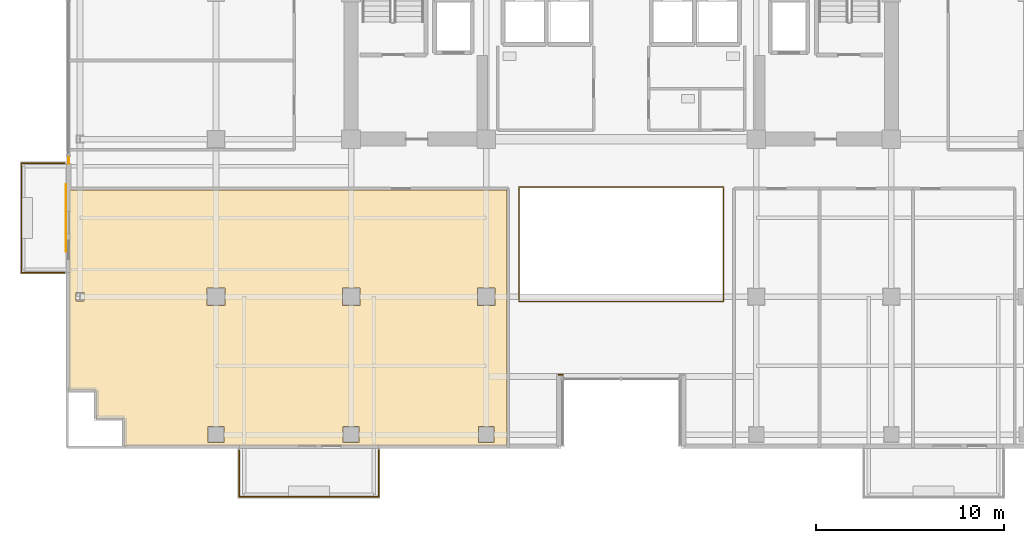
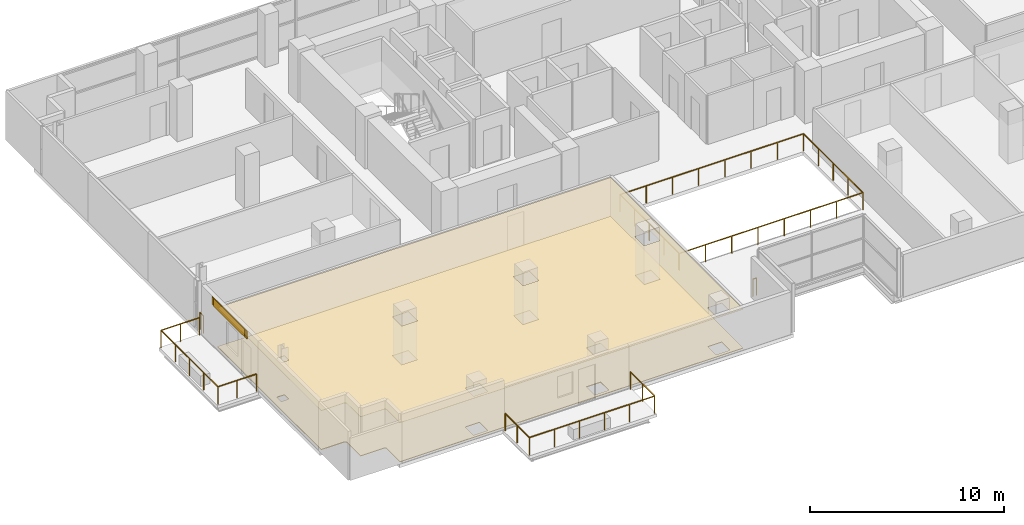
# One storey, part 24 of 28: 5 railings, 3 coverings, 1 shading device.
"""IFC4 building model written with IfcOpenShell, lengths in metres."""

from ifc_helpers import new_model, si_unit, direction, frame, origin, origin_2d, place, context, subcontext, project, spatial, polyline, rectangle, outline, extrude, source, transform, mapped, material, layer, layer_set, type_object, element, save


model = new_model("IFC4")

# Units and contexts
model_context = context("Model", 3, precision=1e-05, world=origin(), true_north=direction((0.0, 1.0)))
body_context = subcontext(model_context, "Body", "Model", "MODEL_VIEW")
ifc_project = project(units=[si_unit("LENGTHUNIT", "METRE"), si_unit("AREAUNIT", "SQUARE_METRE"), si_unit("VOLUMEUNIT", "CUBIC_METRE"), si_unit("PLANEANGLEUNIT", "RADIAN"), si_unit("MASSUNIT", "GRAM", prefix="KILO")], contexts=[model_context])

# Site, building, storey
site_placement = place(None, origin())
site = spatial("IfcSite", under=ifc_project, at=site_placement, CompositionType="ELEMENT")
building_placement = place(site_placement, origin())
building = spatial("IfcBuilding", under=site, at=building_placement, Name="Zarnakvel Exchange Tower", CompositionType="ELEMENT")
storey_placement = place(building_placement, frame((0.0, 0.0, 103.300048828125)))
storey = spatial("IfcBuildingStorey", under=building, at=storey_placement, Name="L28", CompositionType="ELEMENT", Elevation=103.300048828125)

# Coverings
ifc_material_1 = material(Name="Perforated Bronze Acoustic Metal Ceiling", Category="aluminium")
ifc_layer_1 = layer(ifc_material_1, 0.02001953125)
ifc_layer_set_1 = layer_set([ifc_layer_1], Name="Perforated Bronze Acoustic Metal Ceiling")
covering_type_1 = type_object("IfcCoveringType", Name="CLG-01", PredefinedType="CEILING", material=ifc_layer_set_1)
covering_1_placement = place(storey_placement, frame((0.0, 0.0, 2.454833984375)))
element("IfcCovering", 1, at=covering_1_placement, inside=storey, type_object=covering_type_1, Name="L28 Suspended Acoustic Ceiling (Derivatives Trading Hall)", PredefinedType="CEILING", context=body_context, shape_type="SweptSolid", body=[
    extrude(outline(polyline([(-6.10009765625, -3.909912109375), (-6.10009765625, -17.550048828125), (-26.47998046875, -17.550048828125), (-26.47998046875, -16.199951171875), (-26.48046875, -16.188232421875), (-26.482421875, -16.176513671875), (-26.485107421875, -16.165283203125), (-26.489013671875, -16.154052734375), (-26.494140625, -16.143310546875), (-26.500244140625, -16.13330078125), (-26.50732421875, -16.123779296875), (-26.51513671875, -16.115234375), (-26.52392578125, -16.107177734375), (-26.533447265625, -16.100341796875), (-26.54345703125, -16.09423828125), (-26.55419921875, -16.089111328125), (-26.565185546875, -16.085205078125), (-26.57666015625, -16.082275390625), (-26.588134765625, -16.08056640625), (-26.60009765625, -16.080078125), (-27.97998046875, -16.080078125), (-27.97998046875, -14.699951171875), (-27.98046875, -14.688232421875), (-27.982421875, -14.676513671875), (-27.985107421875, -14.665283203125), (-27.989013671875, -14.654052734375), (-27.994140625, -14.643310546875), (-28.000244140625, -14.63330078125), (-28.00732421875, -14.623779296875), (-28.01513671875, -14.615234375), (-28.02392578125, -14.607177734375), (-28.033447265625, -14.600341796875), (-28.04345703125, -14.59423828125), (-28.05419921875, -14.589111328125), (-28.065185546875, -14.585205078125), (-28.07666015625, -14.582275390625), (-28.088134765625, -14.58056640625), (-28.10009765625, -14.580078125), (-29.449951171875, -14.580078125), (-29.449951171875, -3.909912109375), (-6.10009765625, -3.909912109375)]), holes=[polyline([(-7.669921875, -10.070068359375), (-6.72998046875, -10.070068359375), (-6.72998046875, -9.1298828125), (-7.669921875, -9.1298828125), (-7.669921875, -10.070068359375)]), polyline([(-6.780029296875, -17.3701171875), (-6.780029296875, -16.530029296875), (-7.6201171875, -16.530029296875), (-7.6201171875, -17.3701171875), (-6.780029296875, -17.3701171875)]), polyline([(-13.929931640625, -10.070068359375), (-13.929931640625, -9.1298828125), (-14.8701171875, -9.1298828125), (-14.8701171875, -10.070068359375), (-13.929931640625, -10.070068359375)]), polyline([(-13.97998046875, -17.3701171875), (-13.97998046875, -16.530029296875), (-14.820068359375, -16.530029296875), (-14.820068359375, -17.3701171875), (-13.97998046875, -17.3701171875)]), polyline([(-21.1298828125, -10.070068359375), (-21.1298828125, -9.1298828125), (-22.070068359375, -9.1298828125), (-22.070068359375, -10.070068359375), (-21.1298828125, -10.070068359375)]), polyline([(-21.179931640625, -17.3701171875), (-21.179931640625, -16.530029296875), (-22.02001953125, -16.530029296875), (-22.02001953125, -17.3701171875), (-21.179931640625, -17.3701171875)]), polyline([(-29.072021484375, -9.823486328125), (-28.6279296875, -9.823486328125), (-28.6279296875, -9.37646484375), (-29.072021484375, -9.37646484375), (-29.072021484375, -9.823486328125)])]), origin(), (0.0, 0.0, 1.0), 0.02001953125),
])
ifc_material_2 = material(Name="Heavy-Duty Raised Access Floor Panel", Category="steel")
ifc_layer_2 = layer(ifc_material_2, 0.034912109375)
ifc_layer_set_2 = layer_set([ifc_layer_2], Name="Heavy-Duty Raised Access Floor Panel")
covering_type_2 = type_object("IfcCoveringType", Name="FLR-02", PredefinedType="FLOORING", material=ifc_layer_set_2)
covering_2_placement = place(storey_placement, origin())
element("IfcCovering", 2, at=covering_2_placement, inside=storey, type_object=covering_type_2, Name="L28 Floor Finish (Derivatives Trading Hall)", PredefinedType="FLOORING", context=body_context, shape_type="SweptSolid", body=[
    extrude(outline(polyline([(-6.10009765625, -3.909912109375), (-6.10009765625, -17.550048828125), (-26.47998046875, -17.550048828125), (-26.47998046875, -16.199951171875), (-26.48046875, -16.188232421875), (-26.482421875, -16.176513671875), (-26.485107421875, -16.165283203125), (-26.489013671875, -16.154052734375), (-26.494140625, -16.143310546875), (-26.500244140625, -16.13330078125), (-26.50732421875, -16.123779296875), (-26.51513671875, -16.115234375), (-26.52392578125, -16.107177734375), (-26.533447265625, -16.100341796875), (-26.54345703125, -16.09423828125), (-26.55419921875, -16.089111328125), (-26.565185546875, -16.085205078125), (-26.57666015625, -16.082275390625), (-26.588134765625, -16.08056640625), (-26.60009765625, -16.080078125), (-27.97998046875, -16.080078125), (-27.97998046875, -14.699951171875), (-27.98046875, -14.688232421875), (-27.982421875, -14.676513671875), (-27.985107421875, -14.665283203125), (-27.989013671875, -14.654052734375), (-27.994140625, -14.643310546875), (-28.000244140625, -14.63330078125), (-28.00732421875, -14.623779296875), (-28.01513671875, -14.615234375), (-28.02392578125, -14.607177734375), (-28.033447265625, -14.600341796875), (-28.04345703125, -14.59423828125), (-28.05419921875, -14.589111328125), (-28.065185546875, -14.585205078125), (-28.07666015625, -14.582275390625), (-28.088134765625, -14.58056640625), (-28.10009765625, -14.580078125), (-29.449951171875, -14.580078125), (-29.449951171875, -3.909912109375), (-6.10009765625, -3.909912109375)]), holes=[polyline([(-7.669921875, -10.070068359375), (-6.72998046875, -10.070068359375), (-6.72998046875, -9.1298828125), (-7.669921875, -9.1298828125), (-7.669921875, -10.070068359375)]), polyline([(-6.780029296875, -17.3701171875), (-6.780029296875, -16.530029296875), (-7.6201171875, -16.530029296875), (-7.6201171875, -17.3701171875), (-6.780029296875, -17.3701171875)]), polyline([(-13.929931640625, -10.070068359375), (-13.929931640625, -9.1298828125), (-14.8701171875, -9.1298828125), (-14.8701171875, -10.070068359375), (-13.929931640625, -10.070068359375)]), polyline([(-13.97998046875, -17.3701171875), (-13.97998046875, -16.530029296875), (-14.820068359375, -16.530029296875), (-14.820068359375, -17.3701171875), (-13.97998046875, -17.3701171875)]), polyline([(-21.1298828125, -10.070068359375), (-21.1298828125, -9.1298828125), (-22.070068359375, -9.1298828125), (-22.070068359375, -10.070068359375), (-21.1298828125, -10.070068359375)]), polyline([(-21.179931640625, -17.3701171875), (-21.179931640625, -16.530029296875), (-22.02001953125, -16.530029296875), (-22.02001953125, -17.3701171875), (-21.179931640625, -17.3701171875)]), polyline([(-29.072021484375, -9.823486328125), (-28.6279296875, -9.823486328125), (-28.6279296875, -9.37646484375), (-29.072021484375, -9.37646484375), (-29.072021484375, -9.823486328125)])]), origin(), (0.0, 0.0, 1.0), 0.034912109375),
])

# Railings
ifc_material_3 = material(Name="Architectural Bronze Anodised Aluminium", Category="aluminium")
railing_type_1 = type_object("IfcRailingType", Name="GR-02", PredefinedType="GUARDRAIL", material=ifc_material_3)
railing_1_placement = place(storey_placement, frame((-20.3701171875, -17.780029296875, -0.03515625)))
element("IfcRailing", 3, at=railing_1_placement, inside=storey, type_object=railing_type_1, Name="L28 Balcony Guardrail BAL-L28-SW", PredefinedType="GUARDRAIL", context=body_context, shape_type="SweptSolid", body=[
    extrude(rectangle(XDim=0.048095703125, YDim=0.048095703125, at=origin_2d()), frame((0.0, 0.0, 1.09619140625), z_axis=(0.0, -1.0, 0.0), x_axis=(1.0, 0.0, 0.0)), (0.0, 0.0, 1.0), 2.489990234375),
    extrude(rectangle(XDim=0.048095703125, YDim=0.048095703125, at=origin_2d()), frame((0.0, -2.489990234375, 1.09619140625), z_axis=(1.0, 0.0, 0.0), x_axis=(0.0, 1.0, 0.0)), (0.0, 0.0, 1.0), 7.440185546875),
    extrude(rectangle(XDim=0.048095703125, YDim=0.048095703125, at=origin_2d()), frame((7.440185546875, -2.489990234375, 1.09619140625), z_axis=(0.0, 1.0, 0.0), x_axis=(-1.0, 0.0, 0.0)), (0.0, 0.0, 1.0), 2.489990234375),
    extrude(rectangle(XDim=0.0419921875, YDim=0.0419921875, at=origin_2d()), origin(), (0.0, 0.0, 1.0), 1.072021484375),
    extrude(rectangle(XDim=0.0419921875, YDim=0.0419921875, at=origin_2d()), frame((0.0, -1.2451171875, 0.0)), (0.0, 0.0, 1.0), 1.072021484375),
    extrude(rectangle(XDim=0.0419921875, YDim=0.0419921875, at=origin_2d()), frame((0.0, -2.489990234375, 0.0)), (0.0, 0.0, 1.0), 1.072021484375),
    extrude(rectangle(XDim=0.0419921875, YDim=0.0419921875, at=origin_2d()), frame((1.488037109375, -2.489990234375, 0.0)), (0.0, 0.0, 1.0), 1.072021484375),
    extrude(rectangle(XDim=0.0419921875, YDim=0.0419921875, at=origin_2d()), frame((2.97607421875, -2.489990234375, 0.0)), (0.0, 0.0, 1.0), 1.072021484375),
    extrude(rectangle(XDim=0.0419921875, YDim=0.0419921875, at=origin_2d()), frame((4.464111328125, -2.489990234375, 0.0)), (0.0, 0.0, 1.0), 1.072021484375),
    extrude(rectangle(XDim=0.0419921875, YDim=0.0419921875, at=origin_2d()), frame((5.9521484375, -2.489990234375, 0.0)), (0.0, 0.0, 1.0), 1.072021484375),
    extrude(rectangle(XDim=0.0419921875, YDim=0.0419921875, at=origin_2d()), frame((7.440185546875, -2.489990234375, 0.0)), (0.0, 0.0, 1.0), 1.072021484375),
    extrude(rectangle(XDim=0.0419921875, YDim=0.0419921875, at=origin_2d()), frame((7.440185546875, -1.2451171875, 0.0)), (0.0, 0.0, 1.0), 1.072021484375),
    extrude(rectangle(XDim=0.0419921875, YDim=0.0419921875, at=origin_2d()), frame((7.440185546875, 0.0, 0.0)), (0.0, 0.0, 1.0), 1.072021484375),
])
railing_2_placement = place(storey_placement, frame((-29.679931640625, -8.320068359375, -0.03515625)))
element("IfcRailing", 4, at=railing_2_placement, inside=storey, type_object=railing_type_1, Name="L28 Balcony Guardrail BAL-L28-W", PredefinedType="GUARDRAIL", context=body_context, shape_type="SweptSolid", body=[
    extrude(rectangle(XDim=0.048095703125, YDim=0.048095703125, at=origin_2d()), frame((0.0, 0.0, 1.09619140625), z_axis=(-1.0, 0.0, 0.0), x_axis=(0.0, -1.0, 0.0)), (0.0, 0.0, 1.0), 2.2900390625),
    extrude(rectangle(XDim=0.048095703125, YDim=0.048095703125, at=origin_2d()), frame((-2.2900390625, 0.0, 1.09619140625), z_axis=(0.0, 1.0, 0.0), x_axis=(-1.0, 0.0, 0.0)), (0.0, 0.0, 1.0), 5.840087890625),
    extrude(rectangle(XDim=0.048095703125, YDim=0.048095703125, at=origin_2d()), frame((-2.2900390625, 5.840087890625, 1.09619140625), z_axis=(1.0, 0.0, 0.0), x_axis=(0.0, 1.0, 0.0)), (0.0, 0.0, 1.0), 2.2900390625),
    extrude(rectangle(XDim=0.0419921875, YDim=0.0419921875, at=origin_2d()), origin(), (0.0, 0.0, 1.0), 1.072021484375),
    extrude(rectangle(XDim=0.0419921875, YDim=0.0419921875, at=origin_2d()), frame((-1.14501953125, 0.0, 0.0)), (0.0, 0.0, 1.0), 1.072021484375),
    extrude(rectangle(XDim=0.0419921875, YDim=0.0419921875, at=origin_2d()), frame((-2.2900390625, 0.0, 0.0)), (0.0, 0.0, 1.0), 1.072021484375),
    extrude(rectangle(XDim=0.0419921875, YDim=0.0419921875, at=origin_2d()), frame((-2.2900390625, 1.4599609375, 0.0)), (0.0, 0.0, 1.0), 1.072021484375),
    extrude(rectangle(XDim=0.0419921875, YDim=0.0419921875, at=origin_2d()), frame((-2.2900390625, 2.919921875, 0.0)), (0.0, 0.0, 1.0), 1.072021484375),
    extrude(rectangle(XDim=0.0419921875, YDim=0.0419921875, at=origin_2d()), frame((-2.2900390625, 4.380126953125, 0.0)), (0.0, 0.0, 1.0), 1.072021484375),
    extrude(rectangle(XDim=0.0419921875, YDim=0.0419921875, at=origin_2d()), frame((-2.2900390625, 5.840087890625, 0.0)), (0.0, 0.0, 1.0), 1.072021484375),
    extrude(rectangle(XDim=0.0419921875, YDim=0.0419921875, at=origin_2d()), frame((-1.14501953125, 5.840087890625, 0.0)), (0.0, 0.0, 1.0), 1.072021484375),
    extrude(rectangle(XDim=0.0419921875, YDim=0.0419921875, at=origin_2d()), frame((0.0, 5.840087890625, 0.0)), (0.0, 0.0, 1.0), 1.072021484375),
])
railing_3_placement = place(storey_placement, frame((-29.4599609375, -2.5, 0.0)))
element("IfcRailing", 5, at=railing_3_placement, inside=storey, type_object=railing_type_1, Name="L28 Corner Spandrel Balustrade #2", PredefinedType="GUARDRAIL", context=body_context, shape_type="SweptSolid", body=[
    extrude(rectangle(XDim=0.048095703125, YDim=0.048095703125, at=origin_2d()), frame((0.0, 0.0, 1.09619140625), z_axis=(0.0, 1.0, 0.0), x_axis=(-1.0, 0.0, 0.0)), (0.0, 0.0, 1.0), 0.39990234375),
    extrude(rectangle(XDim=0.0419921875, YDim=0.0419921875, at=origin_2d()), origin(), (0.0, 0.0, 1.0), 1.072021484375),
    extrude(rectangle(XDim=0.0419921875, YDim=0.0419921875, at=origin_2d()), frame((0.0, 0.39990234375, 0.0)), (0.0, 0.0, 1.0), 1.072021484375),
])
railing_4_placement = place(storey_placement, frame((-3.1201171875, -13.760009765625, 0.0)))
element("IfcRailing", 6, at=railing_4_placement, inside=storey, type_object=railing_type_1, Name="L28 Corner Spandrel Balustrade #19", PredefinedType="GUARDRAIL", context=body_context, shape_type="SweptSolid", body=[
    extrude(rectangle(XDim=0.048095703125, YDim=0.048095703125, at=origin_2d()), frame((0.0, 0.0, 1.09619140625), z_axis=(-1.0, 0.0, 0.0), x_axis=(0.0, -1.0, 0.0)), (0.0, 0.0, 1.0), 0.219970703125),
    extrude(rectangle(XDim=0.0419921875, YDim=0.0419921875, at=origin_2d()), origin(), (0.0, 0.0, 1.0), 1.072021484375),
    extrude(rectangle(XDim=0.0419921875, YDim=0.0419921875, at=origin_2d()), frame((-0.219970703125, 0.0, 0.0)), (0.0, 0.0, 1.0), 1.072021484375),
])
railing_type_2 = type_object("IfcRailingType", Name="GR-03", PredefinedType="GUARDRAIL", material=ifc_material_3)
railing_5_placement = place(storey_placement, frame((-5.449951171875, -9.85009765625, 0.0)))
element("IfcRailing", 7, at=railing_5_placement, inside=storey, type_object=railing_type_2, Name="L28 Atrium Void Perimeter Balustrade", PredefinedType="GUARDRAIL", context=body_context, shape_type="SweptSolid", body=[
    extrude(rectangle(XDim=0.048095703125, YDim=0.048095703125, at=origin_2d()), frame((0.0, 0.0, 1.076171875), z_axis=(1.0, 0.0, 0.0), x_axis=(0.0, 1.0, 0.0)), (0.0, 0.0, 1.0), 10.89990234375),
    extrude(rectangle(XDim=0.048095703125, YDim=0.048095703125, at=origin_2d()), frame((10.89990234375, 0.0, 1.076171875), z_axis=(0.0, 1.0, 0.0), x_axis=(-1.0, 0.0, 0.0)), (0.0, 0.0, 1.0), 6.10009765625),
    extrude(rectangle(XDim=0.048095703125, YDim=0.048095703125, at=origin_2d()), frame((10.89990234375, 6.10009765625, 1.076171875), z_axis=(-1.0, 0.0, 0.0), x_axis=(0.0, -1.0, 0.0)), (0.0, 0.0, 1.0), 10.89990234375),
    extrude(rectangle(XDim=0.048095703125, YDim=0.048095703125, at=origin_2d()), frame((0.0, 6.10009765625, 1.076171875), z_axis=(0.0, -1.0, 0.0), x_axis=(1.0, 0.0, 0.0)), (0.0, 0.0, 1.0), 6.02001953125),
    extrude(rectangle(XDim=0.0419921875, YDim=0.0419921875, at=origin_2d()), origin(), (0.0, 0.0, 1.0), 1.052001953125),
    extrude(rectangle(XDim=0.0419921875, YDim=0.0419921875, at=origin_2d()), frame((1.55712890625, 0.0, 0.0)), (0.0, 0.0, 1.0), 1.052001953125),
    extrude(rectangle(XDim=0.0419921875, YDim=0.0419921875, at=origin_2d()), frame((3.1142578125, 0.0, 0.0)), (0.0, 0.0, 1.0), 1.052001953125),
    extrude(rectangle(XDim=0.0419921875, YDim=0.0419921875, at=origin_2d()), frame((4.67138671875, 0.0, 0.0)), (0.0, 0.0, 1.0), 1.052001953125),
    extrude(rectangle(XDim=0.0419921875, YDim=0.0419921875, at=origin_2d()), frame((6.228515625, 0.0, 0.0)), (0.0, 0.0, 1.0), 1.052001953125),
    extrude(rectangle(XDim=0.0419921875, YDim=0.0419921875, at=origin_2d()), frame((7.78564453125, 0.0, 0.0)), (0.0, 0.0, 1.0), 1.052001953125),
    extrude(rectangle(XDim=0.0419921875, YDim=0.0419921875, at=origin_2d()), frame((9.3427734375, 0.0, 0.0)), (0.0, 0.0, 1.0), 1.052001953125),
    extrude(rectangle(XDim=0.0419921875, YDim=0.0419921875, at=origin_2d()), frame((10.89990234375, 0.0, 0.0)), (0.0, 0.0, 1.0), 1.052001953125),
    extrude(rectangle(XDim=0.0419921875, YDim=0.0419921875, at=origin_2d()), frame((10.89990234375, 1.52490234375, 0.0)), (0.0, 0.0, 1.0), 1.052001953125),
    extrude(rectangle(XDim=0.0419921875, YDim=0.0419921875, at=origin_2d()), frame((10.89990234375, 3.050048828125, 0.0)), (0.0, 0.0, 1.0), 1.052001953125),
    extrude(rectangle(XDim=0.0419921875, YDim=0.0419921875, at=origin_2d()), frame((10.89990234375, 4.5751953125, 0.0)), (0.0, 0.0, 1.0), 1.052001953125),
    extrude(rectangle(XDim=0.0419921875, YDim=0.0419921875, at=origin_2d()), frame((10.89990234375, 6.10009765625, 0.0)), (0.0, 0.0, 1.0), 1.052001953125),
    extrude(rectangle(XDim=0.0419921875, YDim=0.0419921875, at=origin_2d()), frame((9.3427734375, 6.10009765625, 0.0)), (0.0, 0.0, 1.0), 1.052001953125),
    extrude(rectangle(XDim=0.0419921875, YDim=0.0419921875, at=origin_2d()), frame((7.78564453125, 6.10009765625, 0.0)), (0.0, 0.0, 1.0), 1.052001953125),
    extrude(rectangle(XDim=0.0419921875, YDim=0.0419921875, at=origin_2d()), frame((6.228515625, 6.10009765625, 0.0)), (0.0, 0.0, 1.0), 1.052001953125),
    extrude(rectangle(XDim=0.0419921875, YDim=0.0419921875, at=origin_2d()), frame((4.67138671875, 6.10009765625, 0.0)), (0.0, 0.0, 1.0), 1.052001953125),
    extrude(rectangle(XDim=0.0419921875, YDim=0.0419921875, at=origin_2d()), frame((3.1142578125, 6.10009765625, 0.0)), (0.0, 0.0, 1.0), 1.052001953125),
    extrude(rectangle(XDim=0.0419921875, YDim=0.0419921875, at=origin_2d()), frame((1.55712890625, 6.10009765625, 0.0)), (0.0, 0.0, 1.0), 1.052001953125),
    extrude(rectangle(XDim=0.0419921875, YDim=0.0419921875, at=origin_2d()), frame((0.0, 6.10009765625, 0.0)), (0.0, 0.0, 1.0), 1.052001953125),
    extrude(rectangle(XDim=0.0419921875, YDim=0.0419921875, at=origin_2d()), frame((0.0, 4.59521484375, 0.0)), (0.0, 0.0, 1.0), 1.052001953125),
    extrude(rectangle(XDim=0.0419921875, YDim=0.0419921875, at=origin_2d()), frame((0.0, 3.090087890625, 0.0)), (0.0, 0.0, 1.0), 1.052001953125),
    extrude(rectangle(XDim=0.0419921875, YDim=0.0419921875, at=origin_2d()), frame((0.0, 1.5849609375, 0.0)), (0.0, 0.0, 1.0), 1.052001953125),
    extrude(rectangle(XDim=0.0419921875, YDim=0.0419921875, at=origin_2d()), frame((0.0, 0.080078125, 0.0)), (0.0, 0.0, 1.0), 1.052001953125),
])

# Covering
ifc_material_4 = material(Name="Warm Sandstone Terracotta Spandrel Tile", Category="masonry")
ifc_layer_3 = layer(ifc_material_4, 0.031982421875)
ifc_layer_set_3 = layer_set([ifc_layer_3], Name="Warm Sandstone Terracotta Spandrel Tile")
covering_type_3 = type_object("IfcCoveringType", Name="CL-02", PredefinedType="CLADDING", material=ifc_layer_set_3)
shared_shape_1 = source(origin(), body_context, "Body", "SweptSolid", [
    extrude(rectangle(XDim=3.60009765625, YDim=0.031982421875, at=origin_2d()), origin(), (0.0, 0.0, 1.0), 0.4951171875),
])
covering_3_placement = place(storey_placement, frame((-29.593994140625, -5.39990234375, 2.559814453125), z_axis=(0.0, 0.0, 1.0), x_axis=(0.0, 1.0, 0.0)))
element("IfcCovering", 8, at=covering_3_placement, inside=storey, type_object=covering_type_3, Name="L28 Ceramic Spandrel Tilework CL-02", PredefinedType="CLADDING", context=body_context, shape_type="MappedRepresentation", body=[
    mapped(shared_shape_1, transform((0.0, 0.0, 0.0), x_axis=(1.0, 0.0, 0.0), y_axis=(0.0, 1.0, 0.0), z_axis=(0.0, 0.0, 1.0), scale=1.0)),
])

# Shading device
ifc_material_5 = material(Name="Perforated Architectural Bronze Screen", Category="aluminium")
ifc_layer_4 = layer(ifc_material_5, 0.044921875)
ifc_layer_set_4 = layer_set([ifc_layer_4], Name="Perforated Architectural Bronze Screen")
shading_device_type = type_object("IfcShadingDeviceType", Name="SS-01", PredefinedType="JALOUSIE", material=ifc_layer_set_4)
shared_shape_2 = source(origin(), body_context, "Body", "SweptSolid", [
    extrude(rectangle(XDim=3.199951171875, YDim=0.044921875, at=origin_2d()), origin(), (0.0, 0.0, 1.0), 0.4951171875),
])
shading_device_placement = place(storey_placement, frame((-29.6005859375, -5.39990234375, 2.559814453125), z_axis=(0.0, 0.0, 1.0), x_axis=(0.0, 1.0, 0.0)))
element("IfcShadingDevice", 9, at=shading_device_placement, inside=storey, type_object=shading_device_type, Name="L28 Bronze Solar Shading Screen SS-01", PredefinedType="JALOUSIE", context=body_context, shape_type="MappedRepresentation", body=[
    mapped(shared_shape_2, transform((0.0, 0.0, 0.0), x_axis=(1.0, 0.0, 0.0), y_axis=(0.0, 1.0, 0.0), z_axis=(0.0, 0.0, 1.0), scale=1.0)),
])

save(model, "model.ifc")
